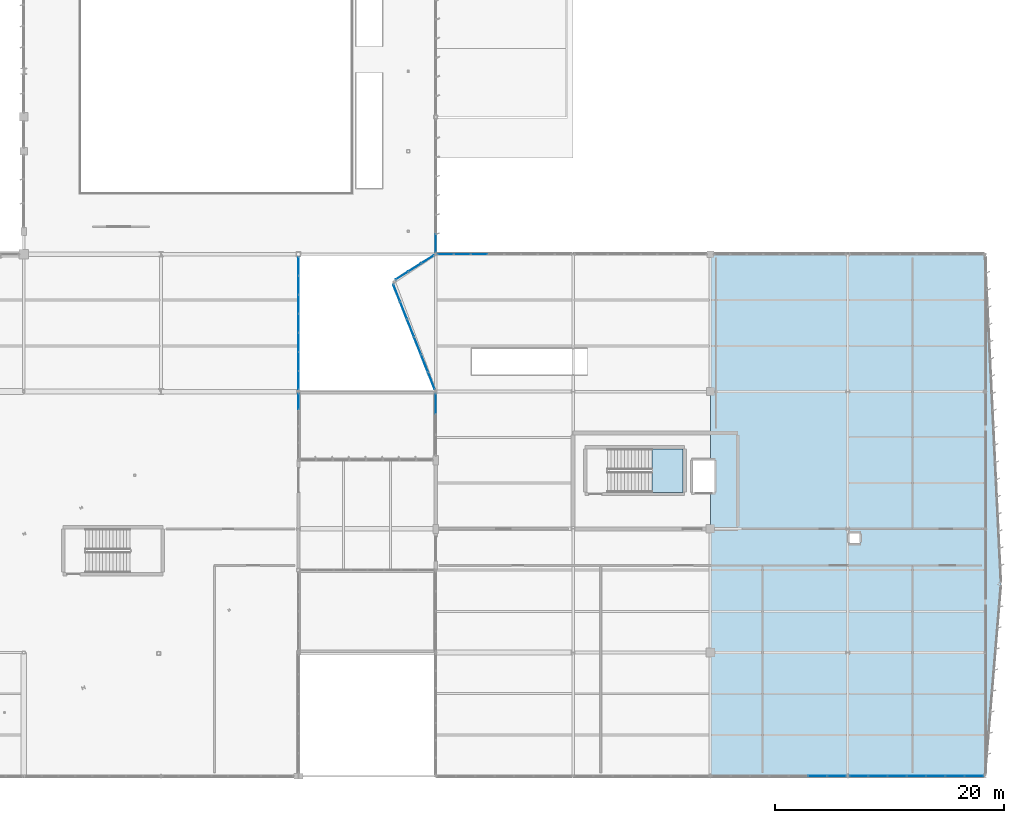
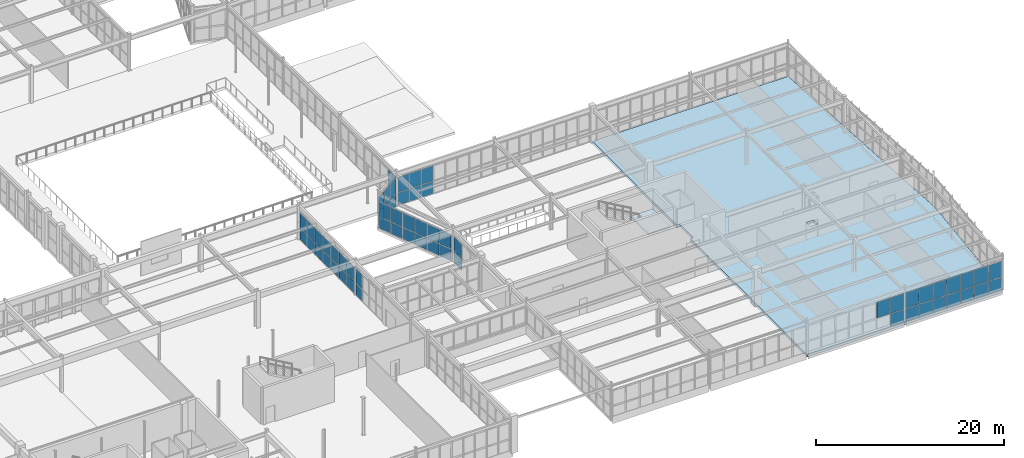
# One storey, part 145 of 226: 61 plates, 2 slabs, 10 elements without a shape of their own.
"""IFC4 building model written with IfcOpenShell, lengths in metres."""

import ifcopenshell
import ifcopenshell.guid

model = None  # the IFC model being written
_history = None  # IfcOwnerHistory: only IFC2X3 demands one
_inside = {}  # id of a spatial element -> (the spatial element, [elements in it])
_under = {}  # id of a project, library or spatial element -> (it, [spatial elements below it])
_declared = {}  # id of a project -> (the project, [libraries it declares])
_typed = {}  # id of a type object -> (the type object, [elements of that type])
_made_of = {}  # id of a material, layer set ... -> (it, [elements and type objects made of it])


def new_model(schema):
    """Start an empty IFC model of exactly this schema.

    Asked for "IFC4X3", IfcOpenShell would pick the latest addendum, in which some entities
    have other attributes; the version numbers below select the first issue.
    IFC2X3 requires an IfcOwnerHistory on every rooted entity: one is made here for all.
    """
    global model, _history
    if schema == "IFC4X3":
        model = ifcopenshell.file(schema_version=(4, 3, 0, 0))
    else:
        model = ifcopenshell.file(schema=schema)
    _inside.clear()
    _under.clear()
    _declared.clear()
    _typed.clear()
    _made_of.clear()
    _history = None
    if model.schema == "IFC2X3":
        org = make("IfcOrganization", Name="unknown")
        user = make(
            "IfcPersonAndOrganization",
            ThePerson=make("IfcPerson", FamilyName="unknown"),
            TheOrganization=org,
        )
        app = make(
            "IfcApplication",
            ApplicationDeveloper=org,
            Version="unknown",
            ApplicationFullName="unknown",
            ApplicationIdentifier="unknown",
        )
        _history = make(
            "IfcOwnerHistory",
            OwningUser=user,
            OwningApplication=app,
            ChangeAction="ADDED",
            CreationDate=0,
        )
    return model


def make(cls, **values):
    """One entity of the class cls with the attributes given. An attribute that is None is left unset."""
    return model.create_entity(
        cls, **{name: value for name, value in values.items() if value is not None}
    )


def rooted(cls, **values):
    """An entity with a GlobalId (a new one), such as an element, a storey or a relation."""
    return make(cls, GlobalId=ifcopenshell.guid.new(), OwnerHistory=_history, **values)


def si_unit(unit_type, name, prefix=None):
    """IfcSIUnit, for example si_unit("LENGTHUNIT", "METRE", prefix="MILLI")."""
    return make("IfcSIUnit", UnitType=unit_type, Prefix=prefix, Name=name)


def assignment(units):
    """IfcUnitAssignment: the units of a project."""
    return None if units is None else make("IfcUnitAssignment", Units=units)


def point(xyz):
    """IfcCartesianPoint."""
    return None if xyz is None else make("IfcCartesianPoint", Coordinates=xyz)


def direction(xyz):
    """IfcDirection."""
    return None if xyz is None else make("IfcDirection", DirectionRatios=xyz)


def frame(location, z_axis=None, x_axis=None):
    """IfcAxis2Placement3D, a coordinate frame: its origin and axes. An axis left out is left unset."""
    return make(
        "IfcAxis2Placement3D",
        Location=point(location),
        Axis=direction(z_axis),
        RefDirection=direction(x_axis),
    )


def frame_2d(location, x_axis=None):
    """IfcAxis2Placement2D, a coordinate frame in the plane: its origin and x axis."""
    return make(
        "IfcAxis2Placement2D", Location=point(location), RefDirection=direction(x_axis)
    )


def origin():
    """The frame at (0, 0, 0) with its axes left unset."""
    return frame((0.0, 0.0, 0.0))


def origin_2d():
    """The frame at (0, 0) in the plane with its x axis left unset."""
    return frame_2d((0.0, 0.0))


def place(relative_to, where):
    """IfcLocalPlacement: puts the frame where relative to a parent placement (None: the world)."""
    return make(
        "IfcLocalPlacement", PlacementRelTo=relative_to, RelativePlacement=where
    )


def context(
    kind, dimensions, precision=None, world=None, true_north=None, identifier=None
):
    """IfcGeometricRepresentationContext, for example the 3D "Model" context."""
    return make(
        "IfcGeometricRepresentationContext",
        ContextIdentifier=identifier,
        ContextType=kind,
        CoordinateSpaceDimension=dimensions,
        Precision=precision,
        WorldCoordinateSystem=world,
        TrueNorth=true_north,
    )


def subcontext(parent, identifier, kind, view, scale=None):
    """IfcGeometricRepresentationSubContext, for example "Body" below "Model"."""
    return make(
        "IfcGeometricRepresentationSubContext",
        ContextIdentifier=identifier,
        ContextType=kind,
        ParentContext=parent,
        TargetScale=scale,
        TargetView=view,
    )


def project(units=None, contexts=None):
    """IfcProject with its units and contexts."""
    return rooted(
        "IfcProject",
        Name="project",
        RepresentationContexts=contexts,
        UnitsInContext=assignment(units),
    )


def spatial(cls, under=None, at=None, **own):
    """A site, building, storey or space (cls), placed at a placement, below another one or the project."""
    s = rooted(cls, ObjectPlacement=at, **own)
    if under is not None:
        _under.setdefault(under.id(), (under, []))[1].append(s)
    return s


def polyline(points):
    """IfcPolyline through the points."""
    return make("IfcPolyline", Points=[point(p) for p in points])


def profile(cls, at=None, kind="AREA", **sizes):
    """A parametric profile (cls). Its sizes go by their IFC names, for example OverallWidth=200.0."""
    return make(cls, ProfileType=kind, Position=at, **sizes)


def rectangle(**sizes):
    """IfcRectangleProfileDef."""
    return profile("IfcRectangleProfileDef", **sizes)


def outline(outer, holes=None, kind="AREA"):
    """IfcArbitraryClosedProfileDef: a profile drawn as a closed curve; with holes, ...WithVoids."""
    if holes is None:
        return make("IfcArbitraryClosedProfileDef", ProfileType=kind, OuterCurve=outer)
    return make(
        "IfcArbitraryProfileDefWithVoids",
        ProfileType=kind,
        OuterCurve=outer,
        InnerCurves=holes,
    )


def extrude(swept, where, along, depth):
    """IfcExtrudedAreaSolid: the profile swept, set in the frame where, extruded along a direction by depth."""
    return make(
        "IfcExtrudedAreaSolid",
        SweptArea=swept,
        Position=where,
        ExtrudedDirection=direction(along),
        Depth=depth,
    )


def shape(context_of_items, identifier, shape_type, items):
    """IfcShapeRepresentation: the items that make up one representation, for example the "Body"."""
    return make(
        "IfcShapeRepresentation",
        ContextOfItems=context_of_items,
        RepresentationIdentifier=identifier,
        RepresentationType=shape_type,
        Items=items,
    )


def material(Name=None, Category=None):
    """IfcMaterial."""
    return make("IfcMaterial", Name=Name, Category=Category)


def layer(
    of_material, thickness, ventilated=None, Name=None, Category=None, Priority=None
):
    """IfcMaterialLayer: one layer of a wall or slab, of a material (None: an air gap)."""
    return make(
        "IfcMaterialLayer",
        Material=of_material,
        LayerThickness=thickness,
        IsVentilated=ventilated,
        Name=Name,
        Category=Category,
        Priority=Priority,
    )


def layer_set(layers, Name=None):
    """IfcMaterialLayerSet."""
    return make("IfcMaterialLayerSet", MaterialLayers=layers, LayerSetName=Name)


def made_of(thing, what):
    """Note that an element or type object is made of a material, layer set ...; save() writes the relation."""
    if what is not None:
        _made_of.setdefault(what.id(), (what, []))[1].append(thing)
    return thing


def type_object(cls, material=None, **own):
    """A type object (cls), such as IfcWallType, which elements share."""
    return made_of(rooted(cls, **own), material)


def element(
    cls,
    number,
    at=None,
    inside=None,
    cuts=None,
    type_object=None,
    material=None,
    context=None,
    identifier="Body",
    shape_type=None,
    held_by="IfcProductDefinitionShape",
    body=None,
    shapes=None,
    **own,
):
    """One element of the class cls, such as IfcWall. Its Tag is "e" and its number.

    at: its placement. inside: the storey or other place that contains it. cuts: it is an
    opening in that element (IfcRelVoidsElement). A single representation is given by context,
    identifier, shape_type and body (its items); several are given by shapes. held_by: the class
    of the entity that holds the representations. save() writes the other relations.
    """
    e = rooted(cls, Tag="e%d" % number, ObjectPlacement=at, **own)
    if body is not None:
        shapes = [shape(context, identifier, shape_type, body)]
    if shapes is not None:
        e.Representation = make(held_by, Representations=shapes)
    if inside is not None:
        _inside.setdefault(inside.id(), (inside, []))[1].append(e)
    if cuts is not None:
        rooted(
            "IfcRelVoidsElement", RelatingBuildingElement=cuts, RelatedOpeningElement=e
        )
    if type_object is not None:
        _typed.setdefault(type_object.id(), (type_object, []))[1].append(e)
    return made_of(e, material)


def aggregate(whole, parts):
    """IfcRelAggregates: a whole, such as a stair, and the parts it consists of."""
    return rooted("IfcRelAggregates", RelatingObject=whole, RelatedObjects=parts)


def save(model, path):
    """Write the relations noted so far, then the file.

    IfcRelAggregates (storeys below a building ...), IfcRelContainedInSpatialStructure (elements
    in a storey), IfcRelDefinesByType, IfcRelAssociatesMaterial and IfcRelDeclares: one each for
    every whole, place, type object, material and project.
    """
    for whole, parts in _under.values():
        aggregate(whole, parts)
    for where, things in _inside.values():
        rooted(
            "IfcRelContainedInSpatialStructure",
            RelatedElements=things,
            RelatingStructure=where,
        )
    for kind, things in _typed.values():
        rooted("IfcRelDefinesByType", RelatedObjects=things, RelatingType=kind)
    for what, things in _made_of.values():
        rooted("IfcRelAssociatesMaterial", RelatedObjects=things, RelatingMaterial=what)
    for by, libraries in _declared.values():
        rooted("IfcRelDeclares", RelatingContext=by, RelatedDefinitions=libraries)
    model.write(path)


model = new_model("IFC4")

# Units and contexts
model_context = context("Model", 3, precision=1e-05, world=origin(), true_north=direction((0.0, 1.0)))
body_context = subcontext(model_context, "Body", "Model", "MODEL_VIEW")
ifc_project = project(units=[si_unit("LENGTHUNIT", "METRE"), si_unit("AREAUNIT", "SQUARE_METRE"), si_unit("VOLUMEUNIT", "CUBIC_METRE"), si_unit("PLANEANGLEUNIT", "RADIAN"), si_unit("MASSUNIT", "GRAM", prefix="KILO")], contexts=[model_context])

# Site, building, storey
site_placement = place(None, origin())
site = spatial("IfcSite", under=ifc_project, at=site_placement, CompositionType="ELEMENT")
building_placement = place(site_placement, origin())
building = spatial("IfcBuilding", under=site, at=building_placement, Name="Tarnwether General Hospital", CompositionType="ELEMENT")
storey_placement = place(building_placement, frame((0.0, 0.0, 4.800048828125)))
storey = spatial("IfcBuildingStorey", under=building, at=storey_placement, Name="L01", CompositionType="ELEMENT", Elevation=4.800048828125)

# Curtain wall, plates
ifc_material_1 = material(Name="Anodised aluminium", Category="aluminium")
ifc_layer_1 = layer(ifc_material_1, 0.179931640625)
ifc_layer_set_1 = layer_set([ifc_layer_1], Name="Anodised aluminium")
curtain_wall_type_1 = type_object("IfcCurtainWallType", Name="CW-06", PredefinedType="NOTDEFINED", material=ifc_layer_set_1)
curtain_wall_1_placement = place(storey_placement, origin())
curtain_wall_1 = element("IfcCurtainWall", 1, at=curtain_wall_1_placement, inside=storey, type_object=curtain_wall_type_1, Name="Curtain Wall CWG-L01-1440_574-0338", PredefinedType="NOTDEFINED")
ifc_material_2 = material(Name="Double glazed low-E glass", Category="glass")
ifc_layer_2 = layer(ifc_material_2, 0.028076171875)
ifc_layer_set_2 = layer_set([ifc_layer_2], Name="Double glazed low-E glass")
plate_type = type_object("IfcPlateType", Name="PT-CWP1", PredefinedType="CURTAIN_PANEL", material=ifc_layer_set_2)
plate_1_placement = place(storey_placement, frame((144.0, 46.56494140625, 0.06005859375), z_axis=(0.0, 0.0, 1.0), x_axis=(0.0, -1.0, 0.0)))
plate_1 = element("IfcPlate", 2, at=plate_1_placement, type_object=plate_type, Name="CW-06 panel 7.1", PredefinedType="CURTAIN_PANEL", context=body_context, shape_type="SweptSolid", body=[
    extrude(rectangle(XDim=1.583740234375, YDim=0.028076171875, at=origin_2d()), origin(), (0.0, 0.0, 1.0), 1.592041015625),
])
plate_2_placement = place(storey_placement, frame((144.0, 46.56494140625, 1.712158203125), z_axis=(0.0, 0.0, 1.0), x_axis=(0.0, -1.0, 0.0)))
plate_2 = element("IfcPlate", 3, at=plate_2_placement, type_object=plate_type, Name="CW-06 panel 7.2", PredefinedType="CURTAIN_PANEL", context=body_context, shape_type="SweptSolid", body=[
    extrude(rectangle(XDim=1.583740234375, YDim=0.028076171875, at=origin_2d()), origin(), (0.0, 0.0, 1.0), 1.9658203125),
])
aggregate(curtain_wall_1, [plate_1, plate_2])

ifc_material_3 = material(Name="Anodised aluminium", Category="aluminium")
ifc_layer_3 = layer(ifc_material_3, 0.159912109375)
ifc_layer_set_3 = layer_set([ifc_layer_3], Name="Anodised aluminium")
curtain_wall_type_2 = type_object("IfcCurtainWallType", Name="CW-15", PredefinedType="NOTDEFINED", material=ifc_layer_set_3)
curtain_wall_2_placement = place(storey_placement, origin())
curtain_wall_2 = element("IfcCurtainWall", 4, at=curtain_wall_2_placement, inside=storey, type_object=curtain_wall_type_2, Name="Curtain Wall CWG-L01-1320_454-0365", PredefinedType="NOTDEFINED")
plate_3_placement = place(storey_placement, frame((132.0, 44.541748046875, 0.059814453125), z_axis=(0.0, 0.0, 1.0), x_axis=(0.0, -1.0, 0.0)))
plate_3 = element("IfcPlate", 5, at=plate_3_placement, type_object=plate_type, Name="CW-15 panel 1.1", PredefinedType="CURTAIN_PANEL", context=body_context, shape_type="SweptSolid", body=[
    extrude(rectangle(XDim=1.57470703125, YDim=0.028076171875, at=origin_2d()), origin(), (0.0, 0.0, 1.0), 1.49853515625),
])
plate_4_placement = place(storey_placement, frame((132.0, 44.541748046875, 1.618408203125), z_axis=(0.0, 0.0, 1.0), x_axis=(0.0, -1.0, 0.0)))
plate_4 = element("IfcPlate", 6, at=plate_4_placement, type_object=plate_type, Name="CW-15 panel 1.2", PredefinedType="CURTAIN_PANEL", context=body_context, shape_type="SweptSolid", body=[
    extrude(rectangle(XDim=1.57470703125, YDim=0.028076171875, at=origin_2d()), origin(), (0.0, 0.0, 1.0), 1.8515625),
])
plate_5_placement = place(storey_placement, frame((132.0, 42.891845703125, 0.059814453125), z_axis=(0.0, 0.0, 1.0), x_axis=(0.0, -1.0, 0.0)))
plate_5 = element("IfcPlate", 7, at=plate_5_placement, type_object=plate_type, Name="CW-15 panel 2.1", PredefinedType="CURTAIN_PANEL", context=body_context, shape_type="SweptSolid", body=[
    extrude(rectangle(XDim=1.604736328125, YDim=0.028076171875, at=origin_2d()), origin(), (0.0, 0.0, 1.0), 1.49853515625),
])
plate_6_placement = place(storey_placement, frame((132.0, 42.891845703125, 1.618408203125), z_axis=(0.0, 0.0, 1.0), x_axis=(0.0, -1.0, 0.0)))
plate_6 = element("IfcPlate", 8, at=plate_6_placement, type_object=plate_type, Name="CW-15 panel 2.2", PredefinedType="CURTAIN_PANEL", context=body_context, shape_type="SweptSolid", body=[
    extrude(rectangle(XDim=1.604736328125, YDim=0.028076171875, at=origin_2d()), origin(), (0.0, 0.0, 1.0), 1.8515625),
])
plate_7_placement = place(storey_placement, frame((132.0, 41.227294921875, 0.059814453125), z_axis=(0.0, 0.0, 1.0), x_axis=(0.0, -1.0, 0.0)))
plate_7 = element("IfcPlate", 9, at=plate_7_placement, type_object=plate_type, Name="CW-15 panel 3.1", PredefinedType="CURTAIN_PANEL", context=body_context, shape_type="SweptSolid", body=[
    extrude(rectangle(XDim=1.604736328125, YDim=0.028076171875, at=origin_2d()), origin(), (0.0, 0.0, 1.0), 1.49853515625),
])
plate_8_placement = place(storey_placement, frame((132.0, 41.227294921875, 1.618408203125), z_axis=(0.0, 0.0, 1.0), x_axis=(0.0, -1.0, 0.0)))
plate_8 = element("IfcPlate", 10, at=plate_8_placement, type_object=plate_type, Name="CW-15 panel 3.2", PredefinedType="CURTAIN_PANEL", context=body_context, shape_type="SweptSolid", body=[
    extrude(rectangle(XDim=1.604736328125, YDim=0.028076171875, at=origin_2d()), origin(), (0.0, 0.0, 1.0), 1.8515625),
])
plate_9_placement = place(storey_placement, frame((132.0, 39.5625, 0.059814453125), z_axis=(0.0, 0.0, 1.0), x_axis=(0.0, -1.0, 0.0)))
plate_9 = element("IfcPlate", 11, at=plate_9_placement, type_object=plate_type, Name="CW-15 panel 4.1", PredefinedType="CURTAIN_PANEL", context=body_context, shape_type="SweptSolid", body=[
    extrude(rectangle(XDim=1.604736328125, YDim=0.028076171875, at=origin_2d()), origin(), (0.0, 0.0, 1.0), 1.49853515625),
])
plate_10_placement = place(storey_placement, frame((132.0, 39.5625, 1.618408203125), z_axis=(0.0, 0.0, 1.0), x_axis=(0.0, -1.0, 0.0)))
plate_10 = element("IfcPlate", 12, at=plate_10_placement, type_object=plate_type, Name="CW-15 panel 4.2", PredefinedType="CURTAIN_PANEL", context=body_context, shape_type="SweptSolid", body=[
    extrude(rectangle(XDim=1.604736328125, YDim=0.028076171875, at=origin_2d()), origin(), (0.0, 0.0, 1.0), 1.8515625),
])
plate_11_placement = place(storey_placement, frame((132.0, 37.897705078125, 0.059814453125), z_axis=(0.0, 0.0, 1.0), x_axis=(0.0, -1.0, 0.0)))
plate_11 = element("IfcPlate", 13, at=plate_11_placement, type_object=plate_type, Name="CW-15 panel 5.1", PredefinedType="CURTAIN_PANEL", context=body_context, shape_type="SweptSolid", body=[
    extrude(rectangle(XDim=1.604736328125, YDim=0.028076171875, at=origin_2d()), origin(), (0.0, 0.0, 1.0), 1.49853515625),
])
plate_12_placement = place(storey_placement, frame((132.0, 37.897705078125, 1.618408203125), z_axis=(0.0, 0.0, 1.0), x_axis=(0.0, -1.0, 0.0)))
plate_12 = element("IfcPlate", 14, at=plate_12_placement, type_object=plate_type, Name="CW-15 panel 5.2", PredefinedType="CURTAIN_PANEL", context=body_context, shape_type="SweptSolid", body=[
    extrude(rectangle(XDim=1.604736328125, YDim=0.028076171875, at=origin_2d()), origin(), (0.0, 0.0, 1.0), 1.8515625),
])
plate_13_placement = place(storey_placement, frame((132.0, 36.233154296875, 0.059814453125), z_axis=(0.0, 0.0, 1.0), x_axis=(0.0, -1.0, 0.0)))
plate_13 = element("IfcPlate", 15, at=plate_13_placement, type_object=plate_type, Name="CW-15 panel 6.1", PredefinedType="CURTAIN_PANEL", context=body_context, shape_type="SweptSolid", body=[
    extrude(rectangle(XDim=1.604736328125, YDim=0.028076171875, at=origin_2d()), origin(), (0.0, 0.0, 1.0), 1.49853515625),
])
plate_14_placement = place(storey_placement, frame((132.0, 36.233154296875, 1.618408203125), z_axis=(0.0, 0.0, 1.0), x_axis=(0.0, -1.0, 0.0)))
plate_14 = element("IfcPlate", 16, at=plate_14_placement, type_object=plate_type, Name="CW-15 panel 6.2", PredefinedType="CURTAIN_PANEL", context=body_context, shape_type="SweptSolid", body=[
    extrude(rectangle(XDim=1.604736328125, YDim=0.028076171875, at=origin_2d()), origin(), (0.0, 0.0, 1.0), 1.8515625),
])
plate_15_placement = place(storey_placement, frame((132.0, 34.583251953125, 0.059814453125), z_axis=(0.0, 0.0, 1.0), x_axis=(0.0, -1.0, 0.0)))
plate_15 = element("IfcPlate", 17, at=plate_15_placement, type_object=plate_type, Name="CW-15 panel 7.1", PredefinedType="CURTAIN_PANEL", context=body_context, shape_type="SweptSolid", body=[
    extrude(rectangle(XDim=1.57470703125, YDim=0.028076171875, at=origin_2d()), origin(), (0.0, 0.0, 1.0), 1.49853515625),
])
plate_16_placement = place(storey_placement, frame((132.0, 34.583251953125, 1.618408203125), z_axis=(0.0, 0.0, 1.0), x_axis=(0.0, -1.0, 0.0)))
plate_16 = element("IfcPlate", 18, at=plate_16_placement, type_object=plate_type, Name="CW-15 panel 7.2", PredefinedType="CURTAIN_PANEL", context=body_context, shape_type="SweptSolid", body=[
    extrude(rectangle(XDim=1.57470703125, YDim=0.028076171875, at=origin_2d()), origin(), (0.0, 0.0, 1.0), 1.8515625),
])
aggregate(curtain_wall_2, [plate_3, plate_4, plate_5, plate_6, plate_7, plate_8, plate_9, plate_10, plate_11, plate_12, plate_13, plate_14, plate_15, plate_16])

curtain_wall_3_placement = place(storey_placement, origin())
curtain_wall_3 = element("IfcCurtainWall", 19, at=curtain_wall_3_placement, inside=storey, type_object=curtain_wall_type_2, Name="Curtain Wall CWG-L01-1320_335-0366", PredefinedType="NOTDEFINED")
plate_17_placement = place(storey_placement, frame((132.0, 32.726806640625, 0.059814453125), z_axis=(0.0, 0.0, 1.0), x_axis=(0.0, -1.0, 0.0)))
plate_17 = element("IfcPlate", 20, at=plate_17_placement, type_object=plate_type, Name="CW-15 panel 1.1", PredefinedType="CURTAIN_PANEL", context=body_context, shape_type="SweptSolid", body=[
    extrude(rectangle(XDim=1.354248046875, YDim=0.028076171875, at=origin_2d()), origin(), (0.0, 0.0, 1.0), 1.49853515625),
])
plate_18_placement = place(storey_placement, frame((132.0, 32.726806640625, 1.618408203125), z_axis=(0.0, 0.0, 1.0), x_axis=(0.0, -1.0, 0.0)))
plate_18 = element("IfcPlate", 21, at=plate_18_placement, type_object=plate_type, Name="CW-15 panel 1.2", PredefinedType="CURTAIN_PANEL", context=body_context, shape_type="SweptSolid", body=[
    extrude(rectangle(XDim=1.354248046875, YDim=0.028076171875, at=origin_2d()), origin(), (0.0, 0.0, 1.0), 1.8515625),
])
aggregate(curtain_wall_3, [plate_17, plate_18])

curtain_wall_4_placement = place(storey_placement, origin())
curtain_wall_4 = element("IfcCurtainWall", 22, at=curtain_wall_4_placement, inside=storey, type_object=curtain_wall_type_2, Name="Curtain Wall CWG-L01-1440_280-0367", PredefinedType="NOTDEFINED")
plate_19_placement = place(storey_placement, frame((144.0, 32.54052734375, 0.059814453125), z_axis=(0.0, 0.0, 1.0), x_axis=(0.0, 1.0, 0.0)))
plate_19 = element("IfcPlate", 23, at=plate_19_placement, type_object=plate_type, Name="CW-15 panel 3.1", PredefinedType="CURTAIN_PANEL", context=body_context, shape_type="SweptSolid", body=[
    extrude(rectangle(XDim=1.72900390625, YDim=0.028076171875, at=origin_2d()), origin(), (0.0, 0.0, 1.0), 1.49853515625),
])
plate_20_placement = place(storey_placement, frame((144.0, 32.54052734375, 1.618408203125), z_axis=(0.0, 0.0, 1.0), x_axis=(0.0, 1.0, 0.0)))
plate_20 = element("IfcPlate", 24, at=plate_20_placement, type_object=plate_type, Name="CW-15 panel 3.2", PredefinedType="CURTAIN_PANEL", context=body_context, shape_type="SweptSolid", body=[
    extrude(rectangle(XDim=1.72900390625, YDim=0.028076171875, at=origin_2d()), origin(), (0.0, 0.0, 1.0), 1.8515625),
])
aggregate(curtain_wall_4, [plate_19, plate_20])

curtain_wall_5_placement = place(storey_placement, origin())
curtain_wall_5 = element("IfcCurtainWall", 25, at=curtain_wall_5_placement, inside=storey, type_object=curtain_wall_type_2, Name="Curtain Wall CWG-L01-1439_338-0368", PredefinedType="NOTDEFINED")
plate_21_placement = place(storey_placement, frame((143.62548828125, 34.54541015625, 0.059814453125), z_axis=(0.0, 0.0, 1.0), x_axis=(-0.368059318545, 0.929802311264, 0.0)))
plate_21 = element("IfcPlate", 26, at=plate_21_placement, type_object=plate_type, Name="CW-15 panel 1.1", PredefinedType="CURTAIN_PANEL", context=body_context, shape_type="SweptSolid", body=[
    extrude(rectangle(XDim=1.5673828125, YDim=0.028076171875, at=origin_2d()), origin(), (0.0, 0.0, 1.0), 1.49853515625),
])
plate_22_placement = place(storey_placement, frame((143.62548828125, 34.54541015625, 1.618408203125), z_axis=(0.0, 0.0, 1.0), x_axis=(-0.368059318545, 0.929802311264, 0.0)))
plate_22 = element("IfcPlate", 27, at=plate_22_placement, type_object=plate_type, Name="CW-15 panel 1.2", PredefinedType="CURTAIN_PANEL", context=body_context, shape_type="SweptSolid", body=[
    extrude(rectangle(XDim=1.5673828125, YDim=0.028076171875, at=origin_2d()), origin(), (0.0, 0.0, 1.0), 1.8515625),
])
plate_23_placement = place(storey_placement, frame((143.02099609375, 36.072509765625, 0.059814453125), z_axis=(0.0, 0.0, 1.0), x_axis=(-0.368059318545, 0.929802311264, 0.0)))
plate_23 = element("IfcPlate", 28, at=plate_23_placement, type_object=plate_type, Name="CW-15 panel 2.1", PredefinedType="CURTAIN_PANEL", context=body_context, shape_type="SweptSolid", body=[
    extrude(rectangle(XDim=1.597412109375, YDim=0.028076171875, at=origin_2d()), origin(), (0.0, 0.0, 1.0), 1.49853515625),
])
plate_24_placement = place(storey_placement, frame((143.02099609375, 36.072509765625, 1.618408203125), z_axis=(0.0, 0.0, 1.0), x_axis=(-0.368059318545, 0.929802311264, 0.0)))
plate_24 = element("IfcPlate", 29, at=plate_24_placement, type_object=plate_type, Name="CW-15 panel 2.2", PredefinedType="CURTAIN_PANEL", context=body_context, shape_type="SweptSolid", body=[
    extrude(rectangle(XDim=1.597412109375, YDim=0.028076171875, at=origin_2d()), origin(), (0.0, 0.0, 1.0), 1.8515625),
])
plate_25_placement = place(storey_placement, frame((142.410888671875, 37.613525390625, 0.059814453125), z_axis=(0.0, 0.0, 1.0), x_axis=(-0.368059318545, 0.929802311264, 0.0)))
plate_25 = element("IfcPlate", 30, at=plate_25_placement, type_object=plate_type, Name="CW-15 panel 3.1", PredefinedType="CURTAIN_PANEL", context=body_context, shape_type="SweptSolid", body=[
    extrude(rectangle(XDim=1.597412109375, YDim=0.028076171875, at=origin_2d()), origin(), (0.0, 0.0, 1.0), 1.49853515625),
])
plate_26_placement = place(storey_placement, frame((142.410888671875, 37.613525390625, 1.618408203125), z_axis=(0.0, 0.0, 1.0), x_axis=(-0.368059318545, 0.929802311264, 0.0)))
plate_26 = element("IfcPlate", 31, at=plate_26_placement, type_object=plate_type, Name="CW-15 panel 3.2", PredefinedType="CURTAIN_PANEL", context=body_context, shape_type="SweptSolid", body=[
    extrude(rectangle(XDim=1.597412109375, YDim=0.028076171875, at=origin_2d()), origin(), (0.0, 0.0, 1.0), 1.8515625),
])
plate_27_placement = place(storey_placement, frame((141.801025390625, 39.154541015625, 0.059814453125), z_axis=(0.0, 0.0, 1.0), x_axis=(-0.368059318545, 0.929802311264, 0.0)))
plate_27 = element("IfcPlate", 32, at=plate_27_placement, type_object=plate_type, Name="CW-15 panel 4.1", PredefinedType="CURTAIN_PANEL", context=body_context, shape_type="SweptSolid", body=[
    extrude(rectangle(XDim=1.597412109375, YDim=0.028076171875, at=origin_2d()), origin(), (0.0, 0.0, 1.0), 1.49853515625),
])
plate_28_placement = place(storey_placement, frame((141.801025390625, 39.154541015625, 1.618408203125), z_axis=(0.0, 0.0, 1.0), x_axis=(-0.368059318545, 0.929802311264, 0.0)))
plate_28 = element("IfcPlate", 33, at=plate_28_placement, type_object=plate_type, Name="CW-15 panel 4.2", PredefinedType="CURTAIN_PANEL", context=body_context, shape_type="SweptSolid", body=[
    extrude(rectangle(XDim=1.597412109375, YDim=0.028076171875, at=origin_2d()), origin(), (0.0, 0.0, 1.0), 1.8515625),
])
plate_29_placement = place(storey_placement, frame((141.19091796875, 40.695556640625, 0.059814453125), z_axis=(0.0, 0.0, 1.0), x_axis=(-0.368059318545, 0.929802311264, 0.0)))
plate_29 = element("IfcPlate", 34, at=plate_29_placement, type_object=plate_type, Name="CW-15 panel 5.1", PredefinedType="CURTAIN_PANEL", context=body_context, shape_type="SweptSolid", body=[
    extrude(rectangle(XDim=1.597412109375, YDim=0.028076171875, at=origin_2d()), origin(), (0.0, 0.0, 1.0), 1.49853515625),
])
plate_30_placement = place(storey_placement, frame((141.19091796875, 40.695556640625, 1.618408203125), z_axis=(0.0, 0.0, 1.0), x_axis=(-0.368059318545, 0.929802311264, 0.0)))
plate_30 = element("IfcPlate", 35, at=plate_30_placement, type_object=plate_type, Name="CW-15 panel 5.2", PredefinedType="CURTAIN_PANEL", context=body_context, shape_type="SweptSolid", body=[
    extrude(rectangle(XDim=1.597412109375, YDim=0.028076171875, at=origin_2d()), origin(), (0.0, 0.0, 1.0), 1.8515625),
])
plate_31_placement = place(storey_placement, frame((140.58642578125, 42.22265625, 0.059814453125), z_axis=(0.0, 0.0, 1.0), x_axis=(-0.368059318545, 0.929802311264, 0.0)))
plate_31 = element("IfcPlate", 36, at=plate_31_placement, type_object=plate_type, Name="CW-15 panel 6.1", PredefinedType="CURTAIN_PANEL", context=body_context, shape_type="SweptSolid", body=[
    extrude(rectangle(XDim=1.5673828125, YDim=0.028076171875, at=origin_2d()), origin(), (0.0, 0.0, 1.0), 1.49853515625),
])
plate_32_placement = place(storey_placement, frame((140.58642578125, 42.22265625, 1.618408203125), z_axis=(0.0, 0.0, 1.0), x_axis=(-0.368059318545, 0.929802311264, 0.0)))
plate_32 = element("IfcPlate", 37, at=plate_32_placement, type_object=plate_type, Name="CW-15 panel 6.2", PredefinedType="CURTAIN_PANEL", context=body_context, shape_type="SweptSolid", body=[
    extrude(rectangle(XDim=1.5673828125, YDim=0.028076171875, at=origin_2d()), origin(), (0.0, 0.0, 1.0), 1.8515625),
])
aggregate(curtain_wall_5, [plate_21, plate_22, plate_23, plate_24, plate_25, plate_26, plate_27, plate_28, plate_29, plate_30, plate_31, plate_32])

curtain_wall_6_placement = place(storey_placement, origin())
curtain_wall_6 = element("IfcCurtainWall", 38, at=curtain_wall_6_placement, inside=storey, type_object=curtain_wall_type_2, Name="Curtain Wall CWG-L01-1405_434-0369", PredefinedType="NOTDEFINED")
plate_33_placement = place(storey_placement, frame((141.0439453125, 43.73291015625, 0.06005859375), z_axis=(0.0, 0.0, 1.0), x_axis=(0.845453552233, 0.534048959382, 0.0)))
plate_33 = element("IfcPlate", 39, at=plate_33_placement, type_object=plate_type, Name="CW-15 panel 1.1", PredefinedType="CURTAIN_PANEL", context=body_context, shape_type="SweptSolid", body=[
    extrude(rectangle(XDim=1.25439453125, YDim=0.028076171875, at=origin_2d()), origin(), (0.0, 0.0, 1.0), 1.592041015625),
])
plate_34_placement = place(storey_placement, frame((141.0439453125, 43.73291015625, 1.712158203125), z_axis=(0.0, 0.0, 1.0), x_axis=(0.845453552233, 0.534048959382, 0.0)))
plate_34 = element("IfcPlate", 40, at=plate_34_placement, type_object=plate_type, Name="CW-15 panel 1.2", PredefinedType="CURTAIN_PANEL", context=body_context, shape_type="SweptSolid", body=[
    extrude(rectangle(XDim=1.25439453125, YDim=0.028076171875, at=origin_2d()), origin(), (0.0, 0.0, 1.0), 1.9658203125),
])
plate_35_placement = place(storey_placement, frame((142.16796875, 44.443115234375, 0.06005859375), z_axis=(0.0, 0.0, 1.0), x_axis=(0.845453552233, 0.534048959382, 0.0)))
plate_35 = element("IfcPlate", 41, at=plate_35_placement, type_object=plate_type, Name="CW-15 panel 2.1", PredefinedType="CURTAIN_PANEL", context=body_context, shape_type="SweptSolid", body=[
    extrude(rectangle(XDim=1.284423828125, YDim=0.028076171875, at=origin_2d()), origin(), (0.0, 0.0, 1.0), 1.592041015625),
])
plate_36_placement = place(storey_placement, frame((142.16796875, 44.443115234375, 1.712158203125), z_axis=(0.0, 0.0, 1.0), x_axis=(0.845453552233, 0.534048959382, 0.0)))
plate_36 = element("IfcPlate", 42, at=plate_36_placement, type_object=plate_type, Name="CW-15 panel 2.2", PredefinedType="CURTAIN_PANEL", context=body_context, shape_type="SweptSolid", body=[
    extrude(rectangle(XDim=1.284423828125, YDim=0.028076171875, at=origin_2d()), origin(), (0.0, 0.0, 1.0), 1.9658203125),
])
plate_37_placement = place(storey_placement, frame((143.2919921875, 45.153076171875, 0.06005859375), z_axis=(0.0, 0.0, 1.0), x_axis=(0.845453552233, 0.534048959382, 0.0)))
plate_37 = element("IfcPlate", 43, at=plate_37_placement, type_object=plate_type, Name="CW-15 panel 3.1", PredefinedType="CURTAIN_PANEL", context=body_context, shape_type="SweptSolid", body=[
    extrude(rectangle(XDim=1.25439453125, YDim=0.028076171875, at=origin_2d()), origin(), (0.0, 0.0, 1.0), 1.592041015625),
])
plate_38_placement = place(storey_placement, frame((143.2919921875, 45.153076171875, 1.712158203125), z_axis=(0.0, 0.0, 1.0), x_axis=(0.845453552233, 0.534048959382, 0.0)))
plate_38 = element("IfcPlate", 44, at=plate_38_placement, type_object=plate_type, Name="CW-15 panel 3.2", PredefinedType="CURTAIN_PANEL", context=body_context, shape_type="SweptSolid", body=[
    extrude(rectangle(XDim=1.25439453125, YDim=0.028076171875, at=origin_2d()), origin(), (0.0, 0.0, 1.0), 1.9658203125),
])
aggregate(curtain_wall_6, [plate_33, plate_34, plate_35, plate_36, plate_37, plate_38])

ifc_material_4 = material(Name="Anodised aluminium", Category="aluminium")
ifc_layer_4 = layer(ifc_material_4, 0.159912109375)
ifc_layer_set_4 = layer_set([ifc_layer_4], Name="Anodised aluminium")
curtain_wall_type_3 = type_object("IfcCurtainWallType", Name="CW-18", PredefinedType="NOTDEFINED", material=ifc_layer_set_4)
curtain_wall_7_placement = place(storey_placement, origin())
curtain_wall_7 = element("IfcCurtainWall", 45, at=curtain_wall_7_placement, inside=storey, type_object=curtain_wall_type_3, Name="Curtain Wall CWG-L01-1441_456-0379", PredefinedType="NOTDEFINED")
plate_39_placement = place(storey_placement, frame((144.8603515625, 45.60009765625, 0.06005859375), z_axis=(0.0, 0.0, 1.0), x_axis=(1.0, 0.0, 0.0)))
plate_39 = element("IfcPlate", 46, at=plate_39_placement, type_object=plate_type, Name="CW-18 panel 1.1", PredefinedType="CURTAIN_PANEL", context=body_context, shape_type="SweptSolid", body=[
    extrude(rectangle(XDim=1.37890625, YDim=0.028076171875, at=origin_2d()), origin(), (0.0, 0.0, 1.0), 1.592041015625),
])
plate_40_placement = place(storey_placement, frame((144.8603515625, 45.60009765625, 1.712158203125), z_axis=(0.0, 0.0, 1.0), x_axis=(1.0, 0.0, 0.0)))
plate_40 = element("IfcPlate", 47, at=plate_40_placement, type_object=plate_type, Name="CW-18 panel 1.2", PredefinedType="CURTAIN_PANEL", context=body_context, shape_type="SweptSolid", body=[
    extrude(rectangle(XDim=1.37890625, YDim=0.028076171875, at=origin_2d()), origin(), (0.0, 0.0, 1.0), 1.9658203125),
])
plate_41_placement = place(storey_placement, frame((146.314208984375, 45.60009765625, 0.06005859375), z_axis=(0.0, 0.0, 1.0), x_axis=(1.0, 0.0, 0.0)))
plate_41 = element("IfcPlate", 48, at=plate_41_placement, type_object=plate_type, Name="CW-18 panel 2.1", PredefinedType="CURTAIN_PANEL", context=body_context, shape_type="SweptSolid", body=[
    extrude(rectangle(XDim=1.408935546875, YDim=0.028076171875, at=origin_2d()), origin(), (0.0, 0.0, 1.0), 1.592041015625),
])
plate_42_placement = place(storey_placement, frame((146.314208984375, 45.60009765625, 1.712158203125), z_axis=(0.0, 0.0, 1.0), x_axis=(1.0, 0.0, 0.0)))
plate_42 = element("IfcPlate", 49, at=plate_42_placement, type_object=plate_type, Name="CW-18 panel 2.2", PredefinedType="CURTAIN_PANEL", context=body_context, shape_type="SweptSolid", body=[
    extrude(rectangle(XDim=1.408935546875, YDim=0.028076171875, at=origin_2d()), origin(), (0.0, 0.0, 1.0), 1.9658203125),
])
plate_43_placement = place(storey_placement, frame((147.783203125, 45.60009765625, 0.06005859375), z_axis=(0.0, 0.0, 1.0), x_axis=(1.0, 0.0, 0.0)))
plate_43 = element("IfcPlate", 50, at=plate_43_placement, type_object=plate_type, Name="CW-18 panel 3.1", PredefinedType="CURTAIN_PANEL", context=body_context, shape_type="SweptSolid", body=[
    extrude(rectangle(XDim=1.408935546875, YDim=0.028076171875, at=origin_2d()), origin(), (0.0, 0.0, 1.0), 1.592041015625),
])
plate_44_placement = place(storey_placement, frame((147.783203125, 45.60009765625, 1.712158203125), z_axis=(0.0, 0.0, 1.0), x_axis=(1.0, 0.0, 0.0)))
plate_44 = element("IfcPlate", 51, at=plate_44_placement, type_object=plate_type, Name="CW-18 panel 3.2", PredefinedType="CURTAIN_PANEL", context=body_context, shape_type="SweptSolid", body=[
    extrude(rectangle(XDim=1.408935546875, YDim=0.028076171875, at=origin_2d()), origin(), (0.0, 0.0, 1.0), 1.9658203125),
])
aggregate(curtain_wall_7, [plate_39, plate_40, plate_41, plate_42, plate_43, plate_44])

ifc_material_5 = material(Name="Anodised aluminium", Category="aluminium")
ifc_layer_5 = layer(ifc_material_5, 0.159912109375)
ifc_layer_set_5 = layer_set([ifc_layer_5], Name="Anodised aluminium")
curtain_wall_type_4 = type_object("IfcCurtainWallType", Name="CW-19", PredefinedType="NOTDEFINED", material=ifc_layer_set_5)
curtain_wall_8_placement = place(storey_placement, origin())
curtain_wall_8 = element("IfcCurtainWall", 52, at=curtain_wall_8_placement, inside=storey, type_object=curtain_wall_type_4, Name="Curtain Wall CWG-L01-1919_0-0383", PredefinedType="NOTDEFINED")
plate_45_placement = place(storey_placement, frame((191.0341796875, 0.0, 0.06005859375), z_axis=(0.0, 0.0, 1.0), x_axis=(-1.0, 0.0, 0.0)))
plate_45 = element("IfcPlate", 53, at=plate_45_placement, type_object=plate_type, Name="CW-19 panel 1.1", PredefinedType="CURTAIN_PANEL", context=body_context, shape_type="SweptSolid", body=[
    extrude(rectangle(XDim=1.59375, YDim=0.028076171875, at=origin_2d()), origin(), (0.0, 0.0, 1.0), 1.632568359375),
])
plate_46_placement = place(storey_placement, frame((191.0341796875, 0.0, 1.75244140625), z_axis=(0.0, 0.0, 1.0), x_axis=(-1.0, 0.0, 0.0)))
plate_46 = element("IfcPlate", 54, at=plate_46_placement, type_object=plate_type, Name="CW-19 panel 1.2", PredefinedType="CURTAIN_PANEL", context=body_context, shape_type="SweptSolid", body=[
    extrude(rectangle(XDim=1.59375, YDim=0.028076171875, at=origin_2d()), origin(), (0.0, 0.0, 1.0), 2.015380859375),
])
plate_47_placement = place(storey_placement, frame((189.365478515625, 0.0, 0.06005859375), z_axis=(0.0, 0.0, 1.0), x_axis=(-1.0, 0.0, 0.0)))
plate_47 = element("IfcPlate", 55, at=plate_47_placement, type_object=plate_type, Name="CW-19 panel 2.1", PredefinedType="CURTAIN_PANEL", context=body_context, shape_type="SweptSolid", body=[
    extrude(rectangle(XDim=1.623779296875, YDim=0.028076171875, at=origin_2d()), origin(), (0.0, 0.0, 1.0), 1.632568359375),
])
plate_48_placement = place(storey_placement, frame((189.365478515625, 0.0, 1.75244140625), z_axis=(0.0, 0.0, 1.0), x_axis=(-1.0, 0.0, 0.0)))
plate_48 = element("IfcPlate", 56, at=plate_48_placement, type_object=plate_type, Name="CW-19 panel 2.2", PredefinedType="CURTAIN_PANEL", context=body_context, shape_type="SweptSolid", body=[
    extrude(rectangle(XDim=1.623779296875, YDim=0.028076171875, at=origin_2d()), origin(), (0.0, 0.0, 1.0), 2.015380859375),
])
plate_49_placement = place(storey_placement, frame((187.681640625, 0.0, 0.06005859375), z_axis=(0.0, 0.0, 1.0), x_axis=(-1.0, 0.0, 0.0)))
plate_49 = element("IfcPlate", 57, at=plate_49_placement, type_object=plate_type, Name="CW-19 panel 3.1", PredefinedType="CURTAIN_PANEL", context=body_context, shape_type="SweptSolid", body=[
    extrude(rectangle(XDim=1.623779296875, YDim=0.028076171875, at=origin_2d()), origin(), (0.0, 0.0, 1.0), 1.632568359375),
])
plate_50_placement = place(storey_placement, frame((187.681640625, 0.0, 1.75244140625), z_axis=(0.0, 0.0, 1.0), x_axis=(-1.0, 0.0, 0.0)))
plate_50 = element("IfcPlate", 58, at=plate_50_placement, type_object=plate_type, Name="CW-19 panel 3.2", PredefinedType="CURTAIN_PANEL", context=body_context, shape_type="SweptSolid", body=[
    extrude(rectangle(XDim=1.623779296875, YDim=0.028076171875, at=origin_2d()), origin(), (0.0, 0.0, 1.0), 2.015380859375),
])
plate_51_placement = place(storey_placement, frame((185.998046875, 0.0, 0.06005859375), z_axis=(0.0, 0.0, 1.0), x_axis=(-1.0, 0.0, 0.0)))
plate_51 = element("IfcPlate", 59, at=plate_51_placement, type_object=plate_type, Name="CW-19 panel 4.1", PredefinedType="CURTAIN_PANEL", context=body_context, shape_type="SweptSolid", body=[
    extrude(rectangle(XDim=1.623779296875, YDim=0.028076171875, at=origin_2d()), origin(), (0.0, 0.0, 1.0), 1.632568359375),
])
plate_52_placement = place(storey_placement, frame((185.998046875, 0.0, 1.75244140625), z_axis=(0.0, 0.0, 1.0), x_axis=(-1.0, 0.0, 0.0)))
plate_52 = element("IfcPlate", 60, at=plate_52_placement, type_object=plate_type, Name="CW-19 panel 4.2", PredefinedType="CURTAIN_PANEL", context=body_context, shape_type="SweptSolid", body=[
    extrude(rectangle(XDim=1.623779296875, YDim=0.028076171875, at=origin_2d()), origin(), (0.0, 0.0, 1.0), 2.015380859375),
])
plate_53_placement = place(storey_placement, frame((184.314208984375, 0.0, 0.06005859375), z_axis=(0.0, 0.0, 1.0), x_axis=(-1.0, 0.0, 0.0)))
plate_53 = element("IfcPlate", 61, at=plate_53_placement, type_object=plate_type, Name="CW-19 panel 5.1", PredefinedType="CURTAIN_PANEL", context=body_context, shape_type="SweptSolid", body=[
    extrude(rectangle(XDim=1.623779296875, YDim=0.028076171875, at=origin_2d()), origin(), (0.0, 0.0, 1.0), 1.632568359375),
])
plate_54_placement = place(storey_placement, frame((184.314208984375, 0.0, 1.75244140625), z_axis=(0.0, 0.0, 1.0), x_axis=(-1.0, 0.0, 0.0)))
plate_54 = element("IfcPlate", 62, at=plate_54_placement, type_object=plate_type, Name="CW-19 panel 5.2", PredefinedType="CURTAIN_PANEL", context=body_context, shape_type="SweptSolid", body=[
    extrude(rectangle(XDim=1.623779296875, YDim=0.028076171875, at=origin_2d()), origin(), (0.0, 0.0, 1.0), 2.015380859375),
])
plate_55_placement = place(storey_placement, frame((182.630615234375, 0.0, 0.06005859375), z_axis=(0.0, 0.0, 1.0), x_axis=(-1.0, 0.0, 0.0)))
plate_55 = element("IfcPlate", 63, at=plate_55_placement, type_object=plate_type, Name="CW-19 panel 6.1", PredefinedType="CURTAIN_PANEL", context=body_context, shape_type="SweptSolid", body=[
    extrude(rectangle(XDim=1.623779296875, YDim=0.028076171875, at=origin_2d()), origin(), (0.0, 0.0, 1.0), 1.632568359375),
])
plate_56_placement = place(storey_placement, frame((182.630615234375, 0.0, 1.75244140625), z_axis=(0.0, 0.0, 1.0), x_axis=(-1.0, 0.0, 0.0)))
plate_56 = element("IfcPlate", 64, at=plate_56_placement, type_object=plate_type, Name="CW-19 panel 6.2", PredefinedType="CURTAIN_PANEL", context=body_context, shape_type="SweptSolid", body=[
    extrude(rectangle(XDim=1.623779296875, YDim=0.028076171875, at=origin_2d()), origin(), (0.0, 0.0, 1.0), 2.015380859375),
])
plate_57_placement = place(storey_placement, frame((180.9619140625, 0.0, 0.06005859375), z_axis=(0.0, 0.0, 1.0), x_axis=(-1.0, 0.0, 0.0)))
plate_57 = element("IfcPlate", 65, at=plate_57_placement, type_object=plate_type, Name="CW-19 panel 7.1", PredefinedType="CURTAIN_PANEL", context=body_context, shape_type="SweptSolid", body=[
    extrude(rectangle(XDim=1.59375, YDim=0.028076171875, at=origin_2d()), origin(), (0.0, 0.0, 1.0), 1.632568359375),
])
plate_58_placement = place(storey_placement, frame((180.9619140625, 0.0, 1.75244140625), z_axis=(0.0, 0.0, 1.0), x_axis=(-1.0, 0.0, 0.0)))
plate_58 = element("IfcPlate", 66, at=plate_58_placement, type_object=plate_type, Name="CW-19 panel 7.2", PredefinedType="CURTAIN_PANEL", context=body_context, shape_type="SweptSolid", body=[
    extrude(rectangle(XDim=1.59375, YDim=0.028076171875, at=origin_2d()), origin(), (0.0, 0.0, 1.0), 2.015380859375),
])
aggregate(curtain_wall_8, [plate_45, plate_46, plate_47, plate_48, plate_49, plate_50, plate_51, plate_52, plate_53, plate_54, plate_55, plate_56, plate_57, plate_58])

curtain_wall_9_placement = place(storey_placement, origin())
curtain_wall_9 = element("IfcCurtainWall", 67, at=curtain_wall_9_placement, inside=storey, type_object=curtain_wall_type_4, Name="Curtain Wall CWG-L01-1799_0-0384", PredefinedType="NOTDEFINED")
plate_59_placement = place(storey_placement, frame((179.036376953125, 0.0, 0.059814453125), z_axis=(0.0, 0.0, 1.0), x_axis=(-1.0, 0.0, 0.0)))
plate_59 = element("IfcPlate", 68, at=plate_59_placement, type_object=plate_type, Name="CW-19 panel 1.1", PredefinedType="CURTAIN_PANEL", context=body_context, shape_type="SweptSolid", body=[
    extrude(rectangle(XDim=1.59716796875, YDim=0.028076171875, at=origin_2d()), origin(), (0.0, 0.0, 1.0), 1.63037109375),
])
plate_60_placement = place(storey_placement, frame((179.036376953125, 0.0, 1.750244140625), z_axis=(0.0, 0.0, 1.0), x_axis=(-1.0, 0.0, 0.0)))
plate_60 = element("IfcPlate", 69, at=plate_60_placement, type_object=plate_type, Name="CW-19 panel 1.2", PredefinedType="CURTAIN_PANEL", context=body_context, shape_type="SweptSolid", body=[
    extrude(rectangle(XDim=1.59716796875, YDim=0.028076171875, at=origin_2d()), origin(), (0.0, 0.0, 1.0), 2.0126953125),
])
plate_61_placement = place(storey_placement, frame((177.364013671875, 0.0, 1.750244140625), z_axis=(0.0, 0.0, 1.0), x_axis=(-1.0, 0.0, 0.0)))
plate_61 = element("IfcPlate", 70, at=plate_61_placement, type_object=plate_type, Name="CW-19 panel 2.2", PredefinedType="CURTAIN_PANEL", context=body_context, shape_type="SweptSolid", body=[
    extrude(rectangle(XDim=1.627197265625, YDim=0.028076171875, at=origin_2d()), origin(), (0.0, 0.0, 1.0), 2.0126953125),
])
aggregate(curtain_wall_9, [plate_59, plate_60, plate_61])

# Slab
ifc_material_6 = material(Name="Concrete 40 MPa", Category="concrete")
ifc_layer_6 = layer(ifc_material_6, 0.35498046875)
ifc_layer_set_6 = layer_set([ifc_layer_6], Name="Concrete 40 MPa")
slab_type_1 = type_object("IfcSlabType", Name="SL-FL220", PredefinedType="FLOOR", material=ifc_layer_set_6)
slab_1_placement = place(storey_placement, frame((0.0, 0.0, -0.35498046875)))
element("IfcSlab", 71, at=slab_1_placement, inside=storey, type_object=slab_type_1, Name="L01 Outpatient South-East Shard Floor SL-L01-V6S2", PredefinedType="FLOOR", context=body_context, shape_type="SweptSolid", body=[
    extrude(outline(polyline([(192.0, 0.0), (168.0, 0.0), (168.0, 24.77001953125), (168.3798828125, 24.77001953125), (168.3798828125, 27.6298828125), (168.0, 27.6298828125), (168.0, 45.60009765625), (192.0, 45.60009765625), (193.39990234375, 16.800048828125), (192.0, 0.0)]), holes=[polyline([(181.050048828125, 21.239990234375), (180.14990234375, 21.239990234375), (180.14990234375, 20.340087890625), (181.050048828125, 20.340087890625), (181.050048828125, 21.239990234375)])]), origin(), (0.0, 0.0, 1.0), 0.35498046875),
])

# Stair, slab
ifc_material_7 = material(Name="Concrete 40 MPa", Category="concrete")
stair_type = type_object("IfcStairType", Name="ST-DL48A", PredefinedType="HALF_TURN_STAIR", material=ifc_material_7)
stair_placement = place(storey_placement, origin())
stair = element("IfcStair", 72, at=stair_placement, inside=storey, type_object=stair_type, Name="L01 Exit Stair ST-05", PredefinedType="HALF_TURN_STAIR")
ifc_material_8 = material(Name="Concrete 40 MPa", Category="concrete")
ifc_layer_7 = layer(ifc_material_8, 0.199951171875)
ifc_layer_set_7 = layer_set([ifc_layer_7], Name="Concrete 40 MPa")
slab_type_2 = type_object("IfcSlabType", Name="SL-LD200", PredefinedType="LANDING", material=ifc_layer_set_7)
slab_2_placement = place(storey_placement, frame((0.0, 0.0, 2.199951171875)))
slab_2 = element("IfcSlab", 73, at=slab_2_placement, type_object=slab_type_2, Name="ST-05 landing 1", PredefinedType="LANDING", context=body_context, shape_type="SweptSolid", body=[
    extrude(outline(polyline([(162.89990234375, 24.800048828125), (165.60009765625, 24.800048828125), (165.60009765625, 28.60009765625), (162.89990234375, 28.60009765625), (162.89990234375, 24.800048828125)])), origin(), (0.0, 0.0, 1.0), 0.199951171875),
])
aggregate(stair, [slab_2])

save(model, "model.ifc")
